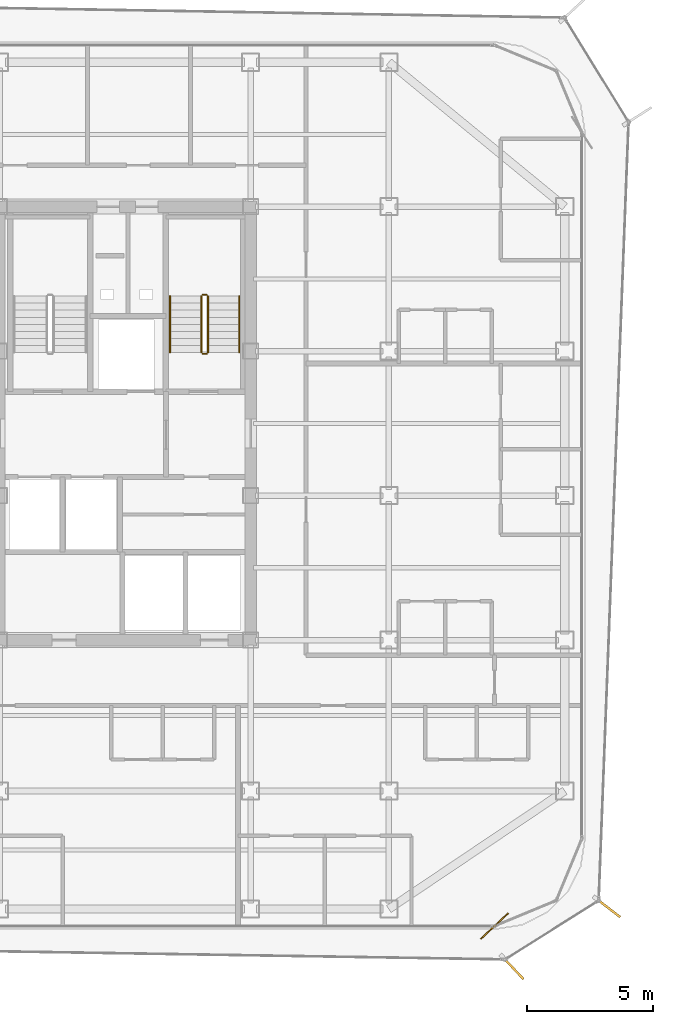
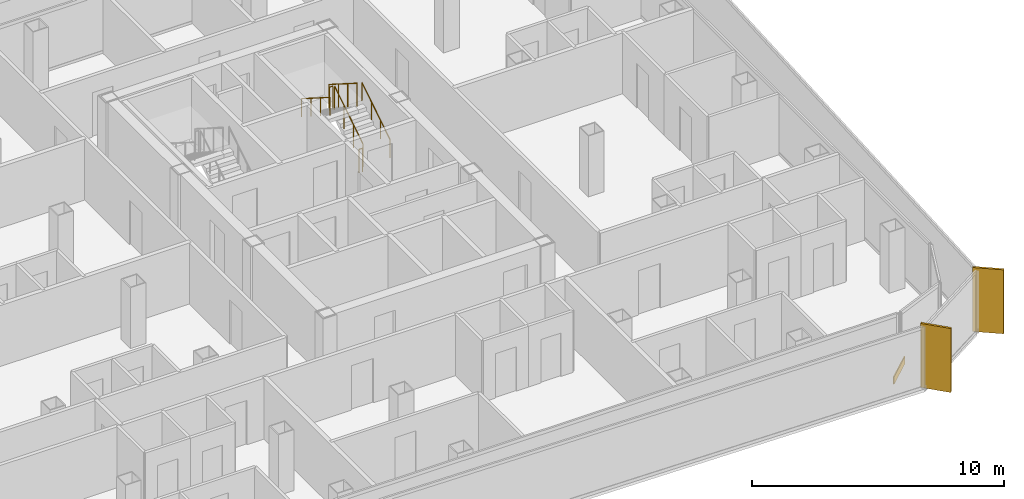
# One storey, part 15 of 16: 6 railings, 2 shading devices, 1 covering.
"""IFC4 building model written with IfcOpenShell, lengths in metres."""

from ifc_helpers import new_model, si_unit, direction, frame, origin, origin_2d, place, context, subcontext, project, spatial, rectangle, circle, extrude, source, transform, mapped, material, layer, layer_set, type_object, element, save


model = new_model("IFC4")

# Units and contexts
model_context = context("Model", 3, precision=1e-05, world=origin(), true_north=direction((0.0, 1.0)))
body_context = subcontext(model_context, "Body", "Model", "MODEL_VIEW")
ifc_project = project(units=[si_unit("LENGTHUNIT", "METRE"), si_unit("AREAUNIT", "SQUARE_METRE"), si_unit("VOLUMEUNIT", "CUBIC_METRE"), si_unit("PLANEANGLEUNIT", "RADIAN"), si_unit("MASSUNIT", "GRAM", prefix="KILO")], contexts=[model_context])

# Site, building, storey
site_placement = place(None, origin())
site = spatial("IfcSite", under=ifc_project, at=site_placement, CompositionType="ELEMENT")
building_placement = place(site_placement, origin())
building = spatial("IfcBuilding", under=site, at=building_placement, Name="Kolveth Station Tower", CompositionType="ELEMENT")
storey_placement = place(building_placement, frame((0.0, 0.0, 156.10009765625)))
storey = spatial("IfcBuildingStorey", under=building, at=storey_placement, Name="L43", CompositionType="ELEMENT", Elevation=156.10009765625)

# Railings
ifc_material_1 = material(Name="Painted Steel S355 balustrade", Category="steel")
railing_type_1 = type_object("IfcRailingType", Name="Guard_GR2", PredefinedType="BALUSTRADE", material=ifc_material_1)
railing_1_placement = place(storey_placement, frame((26.800048828125, 22.949951171875, 0.177734375)))
element("IfcRailing", 1, at=railing_1_placement, inside=storey, type_object=railing_type_1, Name="L43 ST2 stair guard 1", PredefinedType="BALUSTRADE", context=body_context, shape_type="SweptSolid", body=[
    extrude(circle(Radius=0.02392578125, at=origin_2d()), frame((0.0, 0.0, 1.1259765625), z_axis=(0.0, 0.8442293374, 0.53598211339), x_axis=(-1.0, 0.0, 0.0)), (0.0, 0.0, 1.0), 2.6533203125),
    extrude(circle(Radius=0.02099609375, at=origin_2d()), origin(), (0.0, 0.0, 1.0), 1.101806640625),
    extrude(circle(Radius=0.02099609375, at=origin_2d()), frame((0.0, 0.74658203125, 0.47412109375)), (0.0, 0.0, 1.0), 1.101806640625),
    extrude(circle(Radius=0.02099609375, at=origin_2d()), frame((0.0, 1.493408203125, 0.947998046875)), (0.0, 0.0, 1.0), 1.101806640625),
    extrude(circle(Radius=0.02099609375, at=origin_2d()), frame((0.0, 2.239990234375, 1.422119140625)), (0.0, 0.0, 1.0), 1.101806640625),
])
railing_2_placement = place(storey_placement, frame((26.75, 25.239990234375, 1.599853515625)))
element("IfcRailing", 2, at=railing_2_placement, inside=storey, type_object=railing_type_1, Name="L43 ST2 stair guard 2", PredefinedType="BALUSTRADE", context=body_context, shape_type="SweptSolid", body=[
    extrude(circle(Radius=0.02392578125, at=origin_2d()), frame((0.0, 0.0, 1.1259765625), z_axis=(-1.0, 0.0, 0.0), x_axis=(0.0, -1.0, 0.0)), (0.0, 0.0, 1.0), 0.159912109375),
    extrude(circle(Radius=0.02099609375, at=origin_2d()), origin(), (0.0, 0.0, 1.0), 1.101806640625),
    extrude(circle(Radius=0.02099609375, at=origin_2d()), frame((-0.159912109375, 0.0, 0.0)), (0.0, 0.0, 1.0), 1.101806640625),
])
railing_3_placement = place(storey_placement, frame((26.5400390625, 25.18994140625, 1.777587890625)))
element("IfcRailing", 3, at=railing_3_placement, inside=storey, type_object=railing_type_1, Name="L43 ST2 stair guard 3", PredefinedType="BALUSTRADE", context=body_context, shape_type="SweptSolid", body=[
    extrude(circle(Radius=0.02392578125, at=origin_2d()), frame((0.0, 0.0, 1.1259765625), z_axis=(0.0, -0.84418770128, 0.536047689118), x_axis=(1.0, 0.0, 0.0)), (0.0, 0.0, 1.0), 2.6533203125),
    extrude(circle(Radius=0.02099609375, at=origin_2d()), origin(), (0.0, 0.0, 1.0), 1.101806640625),
    extrude(circle(Radius=0.02099609375, at=origin_2d()), frame((0.0, -0.74658203125, 0.47412109375)), (0.0, 0.0, 1.0), 1.101806640625),
    extrude(circle(Radius=0.02099609375, at=origin_2d()), frame((0.0, -1.493408203125, 0.9482421875)), (0.0, 0.0, 1.0), 1.101806640625),
    extrude(circle(Radius=0.02099609375, at=origin_2d()), frame((0.0, -2.239990234375, 1.42236328125)), (0.0, 0.0, 1.0), 1.101806640625),
])
railing_4_placement = place(storey_placement, frame((26.75, 22.89990234375, 0.0)))
element("IfcRailing", 4, at=railing_4_placement, inside=storey, type_object=railing_type_1, Name="L43 ST2 stair guard 4", PredefinedType="BALUSTRADE", context=body_context, shape_type="SweptSolid", body=[
    extrude(circle(Radius=0.02392578125, at=origin_2d()), frame((0.0, 0.0, 1.1259765625), z_axis=(-1.0, 0.0, 0.0), x_axis=(0.0, -1.0, 0.0)), (0.0, 0.0, 1.0), 0.159912109375),
    extrude(circle(Radius=0.02099609375, at=origin_2d()), origin(), (0.0, 0.0, 1.0), 1.101806640625),
    extrude(circle(Radius=0.02099609375, at=origin_2d()), frame((-0.159912109375, 0.0, 0.0)), (0.0, 0.0, 1.0), 1.101806640625),
])
ifc_material_2 = material(Name="Brushed stainless steel", Category="steel")
railing_type_2 = type_object("IfcRailingType", Name="Handrail_HR1", PredefinedType="HANDRAIL", material=ifc_material_2)
railing_5_placement = place(storey_placement, frame((28.050048828125, 22.949951171875, 0.177734375)))
element("IfcRailing", 5, at=railing_5_placement, inside=storey, type_object=railing_type_2, Name="L43 ST2 stair handrail 1", PredefinedType="HANDRAIL", context=body_context, shape_type="SweptSolid", body=[
    extrude(circle(Radius=0.02392578125, at=origin_2d()), frame((0.0, 0.0, 0.8759765625), z_axis=(0.0, 0.8442293374, 0.53598211339), x_axis=(-1.0, 0.0, 0.0)), (0.0, 0.0, 1.0), 2.6533203125),
    extrude(circle(Radius=0.02099609375, at=origin_2d()), origin(), (0.0, 0.0, 1.0), 0.851806640625),
    extrude(circle(Radius=0.02099609375, at=origin_2d()), frame((0.0, 0.74658203125, 0.47412109375)), (0.0, 0.0, 1.0), 0.851806640625),
    extrude(circle(Radius=0.02099609375, at=origin_2d()), frame((0.0, 1.493408203125, 0.947998046875)), (0.0, 0.0, 1.0), 0.851806640625),
    extrude(circle(Radius=0.02099609375, at=origin_2d()), frame((0.0, 2.239990234375, 1.422119140625)), (0.0, 0.0, 1.0), 0.851806640625),
])
railing_6_placement = place(storey_placement, frame((25.2900390625, 25.18994140625, 1.777587890625)))
element("IfcRailing", 6, at=railing_6_placement, inside=storey, type_object=railing_type_2, Name="L43 ST2 stair handrail 2", PredefinedType="HANDRAIL", context=body_context, shape_type="SweptSolid", body=[
    extrude(circle(Radius=0.02392578125, at=origin_2d()), frame((0.0, 0.0, 0.8759765625), z_axis=(0.0, -0.84418770128, 0.536047689118), x_axis=(1.0, 0.0, 0.0)), (0.0, 0.0, 1.0), 2.6533203125),
    extrude(circle(Radius=0.02099609375, at=origin_2d()), origin(), (0.0, 0.0, 1.0), 0.851806640625),
    extrude(circle(Radius=0.02099609375, at=origin_2d()), frame((0.0, -0.74658203125, 0.47412109375)), (0.0, 0.0, 1.0), 0.851806640625),
    extrude(circle(Radius=0.02099609375, at=origin_2d()), frame((0.0, -1.493408203125, 0.9482421875)), (0.0, 0.0, 1.0), 0.851806640625),
    extrude(circle(Radius=0.02099609375, at=origin_2d()), frame((0.0, -2.239990234375, 1.42236328125)), (0.0, 0.0, 1.0), 0.851806640625),
])

# Shading devices
ifc_material_3 = material(Name="Black anodized aluminium 6063-T6", Category="aluminium")
shading_device_type = type_object("IfcShadingDeviceType", Name="FIN_VF1", PredefinedType="USERDEFINED", material=ifc_material_3)
shared_shape_1 = source(origin(), body_context, "Body", "SweptSolid", [
    extrude(rectangle(XDim=1.25, YDim=0.090087890625, at=origin_2d()), origin(), (0.0, 0.0, 1.0), 3.10009765625),
])
for number, where, z_axis, x_axis, name in (
    (7, (38.93310546875, -1.5400390625, -0.000244140625), (0.0, 0.0, 1.0), (0.684801522272, -0.728729630997, 0.0), "L43 Dark-Aluminium Solar Fin 1"),
    (8, (42.7119140625, 0.85791015625, -0.000244140625), (0.0, 0.0, 1.0), (0.792396121708, -0.61000687398, 0.0), "L43 Dark-Aluminium Solar Fin 2"),
):
    element("IfcShadingDevice", number, at=place(storey_placement, frame(where, z_axis=z_axis, x_axis=x_axis)), inside=storey, type_object=shading_device_type, Name=name, ObjectType="FIN", PredefinedType="USERDEFINED", context=body_context, shape_type="MappedRepresentation", body=[
        mapped(shared_shape_1, transform((0.0, 0.0, 0.0), x_axis=(1.0, 0.0, 0.0), y_axis=(0.0, 1.0, 0.0), z_axis=(0.0, 0.0, 1.0), scale=1.0)),
    ])

# Covering
ifc_material_4 = material(Name="Charcoal anodized aluminium spandrel cladding", Category="aluminium")
ifc_layer = layer(ifc_material_4, 0.044921875)
ifc_layer_set = layer_set([ifc_layer], Name="Charcoal anodized aluminium spandrel cladding")
covering_type = type_object("IfcCoveringType", Name="Clad_CD1", PredefinedType="CLADDING", material=ifc_layer_set)
shared_shape_2 = source(origin(), body_context, "Body", "SweptSolid", [
    extrude(rectangle(XDim=1.5, YDim=0.044921875, at=origin_2d()), origin(), (0.0, 0.0, 1.0), 0.360107421875),
])
covering_placement = place(storey_placement, frame((38.199951171875, 0.1201171875, 0.0), z_axis=(0.0, 0.0, 1.0), x_axis=(0.728729630997, 0.684801522272, 0.0)))
element("IfcCovering", 9, at=covering_placement, inside=storey, type_object=covering_type, Name="L43 Spandrel Edge Cladding 1", PredefinedType="CLADDING", context=body_context, shape_type="MappedRepresentation", body=[
    mapped(shared_shape_2, transform((0.0, 0.0, 0.0), x_axis=(1.0, 0.0, 0.0), y_axis=(0.0, 1.0, 0.0), z_axis=(0.0, 0.0, 1.0), scale=1.0)),
])

save(model, "model.ifc")
